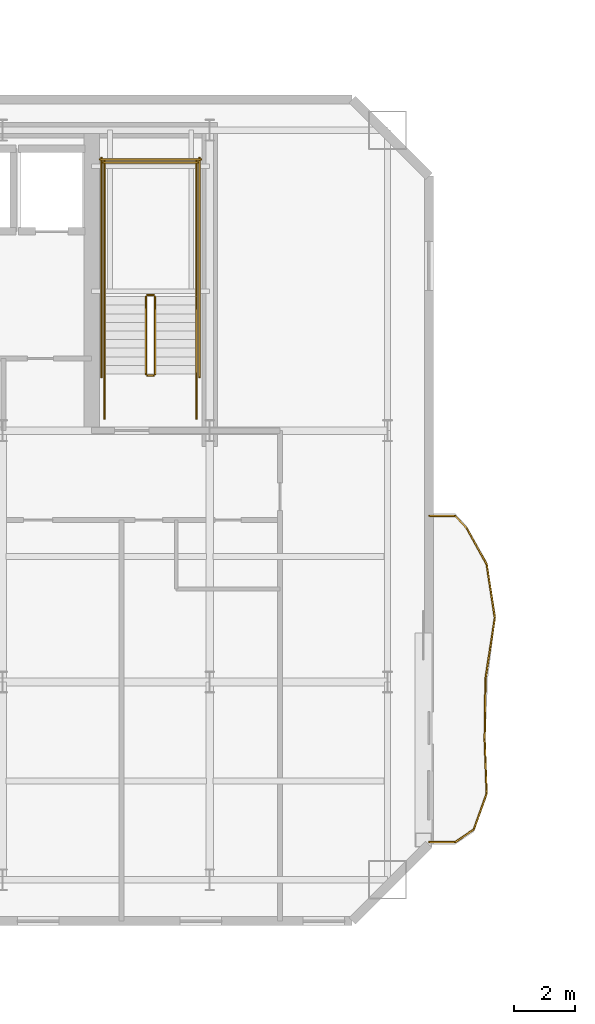
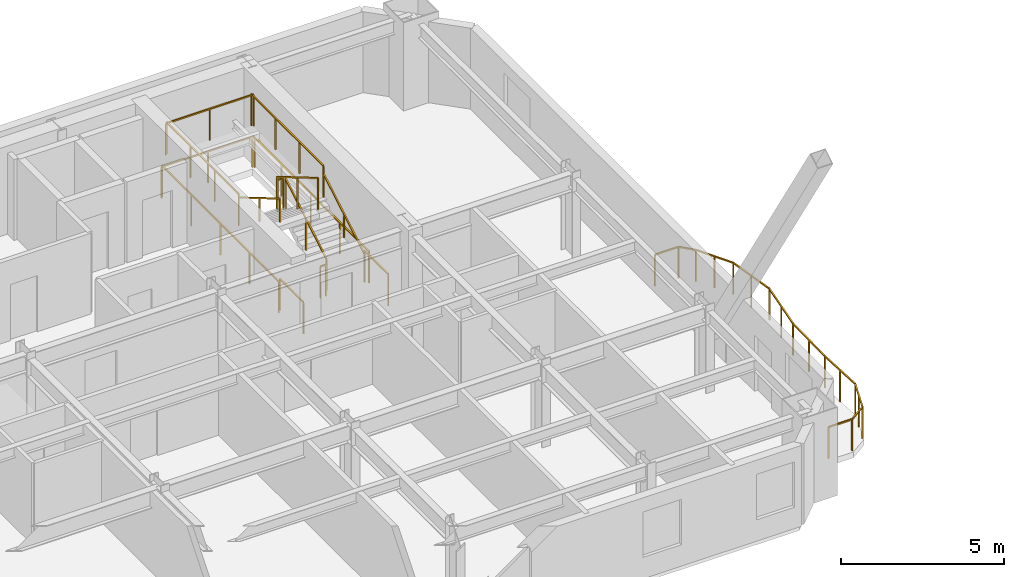
# One storey, part 11 of 13: 24 railings.
"""IFC4 building model written with IfcOpenShell, lengths in metres."""

from ifc_helpers import new_model, si_unit, direction, frame, origin, origin_2d, place, context, subcontext, project, spatial, rectangle, extrude, material, type_object, element, save


model = new_model("IFC4")

# Units and contexts
model_context = context("Model", 3, precision=1e-05, world=origin(), true_north=direction((0.0, 1.0)))
body_context = subcontext(model_context, "Body", "Model", "MODEL_VIEW")
ifc_project = project(units=[si_unit("LENGTHUNIT", "METRE"), si_unit("AREAUNIT", "SQUARE_METRE"), si_unit("VOLUMEUNIT", "CUBIC_METRE"), si_unit("PLANEANGLEUNIT", "RADIAN"), si_unit("MASSUNIT", "GRAM", prefix="KILO")], contexts=[model_context])

# Site, building, storey
site_placement = place(None, origin())
site = spatial("IfcSite", under=ifc_project, at=site_placement, CompositionType="ELEMENT")
building_placement = place(site_placement, origin())
building = spatial("IfcBuilding", under=site, at=building_placement, Name="Haevon Station Towers", CompositionType="ELEMENT")
storey_placement = place(building_placement, frame((0.0, 0.0, 185.699951171875)))
storey = spatial("IfcBuildingStorey", under=building, at=storey_placement, Name="L51", CompositionType="ELEMENT", Elevation=185.699951171875)

# Railings
ifc_material = material(Name="Steel S355", Category="steel")
railing_type_1 = type_object("IfcRailingType", Name="GRD-EXT1200", PredefinedType="GUARDRAIL", material=ifc_material)
railing_1_placement = place(storey_placement, frame((58.173583984375, 24.77783203125, 0.0)))
element("IfcRailing", 1, at=railing_1_placement, inside=storey, type_object=railing_type_1, Name="L51 Perimeter Guardrail 1", PredefinedType="GUARDRAIL", context=body_context, shape_type="SweptSolid", body=[
    extrude(rectangle(XDim=0.048095703125, YDim=0.048095703125, at=origin_2d()), frame((0.0, 0.0, 1.17578125), z_axis=(0.999997283225, 0.002330995998, 0.0), x_axis=(-0.002330995998, 0.999997283225, 0.0)), (0.0, 0.0, 1.0), 0.837890625),
    extrude(rectangle(XDim=0.0419921875, YDim=0.0419921875, at=origin_2d()), origin(), (0.0, 0.0, 1.0), 1.15185546875),
    extrude(rectangle(XDim=0.0419921875, YDim=0.0419921875, at=origin_2d()), frame((0.837890625, 0.001953125, 0.0)), (0.0, 0.0, 1.0), 1.15185546875),
])
railing_2_placement = place(storey_placement, frame((59.011474609375, 24.77978515625, 0.0)))
element("IfcRailing", 2, at=railing_2_placement, inside=storey, type_object=railing_type_1, Name="L51 Perimeter Guardrail 2", PredefinedType="GUARDRAIL", context=body_context, shape_type="SweptSolid", body=[
    extrude(rectangle(XDim=0.048095703125, YDim=0.048095703125, at=origin_2d()), frame((0.0, 0.0, 1.17578125), z_axis=(0.826665387993, 0.562693821091, 0.0), x_axis=(-0.562693821091, 0.826665387993, 0.0)), (0.0, 0.0, 1.0), 0.730712890625),
    extrude(rectangle(XDim=0.0419921875, YDim=0.0419921875, at=origin_2d()), origin(), (0.0, 0.0, 1.0), 1.15185546875),
    extrude(rectangle(XDim=0.0419921875, YDim=0.0419921875, at=origin_2d()), frame((0.60400390625, 0.4111328125, 0.0)), (0.0, 0.0, 1.0), 1.15185546875),
])
railing_3_placement = place(storey_placement, frame((59.615478515625, 25.19091796875, 0.0)))
element("IfcRailing", 3, at=railing_3_placement, inside=storey, type_object=railing_type_1, Name="L51 Perimeter Guardrail 3", PredefinedType="GUARDRAIL", context=body_context, shape_type="SweptSolid", body=[
    extrude(rectangle(XDim=0.048095703125, YDim=0.048095703125, at=origin_2d()), frame((0.0, 0.0, 1.17578125), z_axis=(0.337369310721, 0.941372374878, 0.0), x_axis=(-0.941372374878, 0.337369310721, 0.0)), (0.0, 0.0, 1.0), 1.242431640625),
    extrude(rectangle(XDim=0.0419921875, YDim=0.0419921875, at=origin_2d()), origin(), (0.0, 0.0, 1.0), 1.15185546875),
    extrude(rectangle(XDim=0.0419921875, YDim=0.0419921875, at=origin_2d()), frame((0.20947265625, 0.5849609375, 0.0)), (0.0, 0.0, 1.0), 1.15185546875),
    extrude(rectangle(XDim=0.0419921875, YDim=0.0419921875, at=origin_2d()), frame((0.419189453125, 1.169677734375, 0.0)), (0.0, 0.0, 1.0), 1.15185546875),
])
railing_4_placement = place(storey_placement, frame((60.03466796875, 26.360595703125, 0.0)))
element("IfcRailing", 4, at=railing_4_placement, inside=storey, type_object=railing_type_1, Name="L51 Perimeter Guardrail 4", PredefinedType="GUARDRAIL", context=body_context, shape_type="SweptSolid", body=[
    extrude(rectangle(XDim=0.048095703125, YDim=0.048095703125, at=origin_2d()), frame((0.0, 0.0, 1.17578125), z_axis=(-0.036800275781, 0.999322640443, 0.0), x_axis=(-0.999322640443, -0.036800275781, 0.0)), (0.0, 0.0, 1.0), 1.75146484375),
    extrude(rectangle(XDim=0.0419921875, YDim=0.0419921875, at=origin_2d()), origin(), (0.0, 0.0, 1.0), 1.15185546875),
    extrude(rectangle(XDim=0.0419921875, YDim=0.0419921875, at=origin_2d()), frame((-0.0322265625, 0.875, 0.0)), (0.0, 0.0, 1.0), 1.15185546875),
    extrude(rectangle(XDim=0.0419921875, YDim=0.0419921875, at=origin_2d()), frame((-0.064453125, 1.750244140625, 0.0)), (0.0, 0.0, 1.0), 1.15185546875),
])
railing_5_placement = place(storey_placement, frame((59.97021484375, 28.11083984375, 0.0)))
element("IfcRailing", 5, at=railing_5_placement, inside=storey, type_object=railing_type_1, Name="L51 Perimeter Guardrail 5", PredefinedType="GUARDRAIL", context=body_context, shape_type="SweptSolid", body=[
    extrude(rectangle(XDim=0.048095703125, YDim=0.048095703125, at=origin_2d()), frame((0.0, 0.0, 1.17578125), z_axis=(0.01276282884, 0.999918551783, 0.0), x_axis=(-0.999918551783, 0.01276282884, 0.0)), (0.0, 0.0, 1.0), 1.989501953125),
    extrude(rectangle(XDim=0.0419921875, YDim=0.0419921875, at=origin_2d()), origin(), (0.0, 0.0, 1.0), 1.15185546875),
    extrude(rectangle(XDim=0.0419921875, YDim=0.0419921875, at=origin_2d()), frame((0.0126953125, 0.99462890625, 0.0)), (0.0, 0.0, 1.0), 1.15185546875),
    extrude(rectangle(XDim=0.0419921875, YDim=0.0419921875, at=origin_2d()), frame((0.025390625, 1.9892578125, 0.0)), (0.0, 0.0, 1.0), 1.15185546875),
])
railing_6_placement = place(storey_placement, frame((59.99560546875, 30.10009765625, 0.0)))
element("IfcRailing", 6, at=railing_6_placement, inside=storey, type_object=railing_type_1, Name="L51 Perimeter Guardrail 6", PredefinedType="GUARDRAIL", context=body_context, shape_type="SweptSolid", body=[
    extrude(rectangle(XDim=0.048095703125, YDim=0.048095703125, at=origin_2d()), frame((0.0, 0.0, 1.17578125), z_axis=(0.151957098887, 0.988387090212, 0.0), x_axis=(-0.988387090212, 0.151957098887, 0.0)), (0.0, 0.0, 1.0), 2.016357421875),
    extrude(rectangle(XDim=0.0419921875, YDim=0.0419921875, at=origin_2d()), origin(), (0.0, 0.0, 1.0), 1.15185546875),
    extrude(rectangle(XDim=0.0419921875, YDim=0.0419921875, at=origin_2d()), frame((0.1533203125, 0.99658203125, 0.0)), (0.0, 0.0, 1.0), 1.15185546875),
    extrude(rectangle(XDim=0.0419921875, YDim=0.0419921875, at=origin_2d()), frame((0.306396484375, 1.992919921875, 0.0)), (0.0, 0.0, 1.0), 1.15185546875),
])
railing_7_placement = place(storey_placement, frame((60.302001953125, 32.093017578125, 0.0)))
element("IfcRailing", 7, at=railing_7_placement, inside=storey, type_object=railing_type_1, Name="L51 Perimeter Guardrail 7", PredefinedType="GUARDRAIL", context=body_context, shape_type="SweptSolid", body=[
    extrude(rectangle(XDim=0.048095703125, YDim=0.048095703125, at=origin_2d()), frame((0.0, 0.0, 1.17578125), z_axis=(-0.151319853564, 0.988484851638, 0.0), x_axis=(-0.988484851638, -0.151319853564, 0.0)), (0.0, 0.0, 1.0), 1.7666015625),
    extrude(rectangle(XDim=0.0419921875, YDim=0.0419921875, at=origin_2d()), origin(), (0.0, 0.0, 1.0), 1.15185546875),
    extrude(rectangle(XDim=0.0419921875, YDim=0.0419921875, at=origin_2d()), frame((-0.1337890625, 0.873046875, 0.0)), (0.0, 0.0, 1.0), 1.15185546875),
    extrude(rectangle(XDim=0.0419921875, YDim=0.0419921875, at=origin_2d()), frame((-0.267333984375, 1.746337890625, 0.0)), (0.0, 0.0, 1.0), 1.15185546875),
])
railing_8_placement = place(storey_placement, frame((60.03466796875, 33.83935546875, 0.0)))
element("IfcRailing", 8, at=railing_8_placement, inside=storey, type_object=railing_type_1, Name="L51 Perimeter Guardrail 8", PredefinedType="GUARDRAIL", context=body_context, shape_type="SweptSolid", body=[
    extrude(rectangle(XDim=0.048095703125, YDim=0.048095703125, at=origin_2d()), frame((0.0, 0.0, 1.17578125), z_axis=(-0.483454046519, 0.875369741826, 0.0), x_axis=(-0.875369741826, -0.483454046519, 0.0)), (0.0, 0.0, 1.0), 1.336181640625),
    extrude(rectangle(XDim=0.0419921875, YDim=0.0419921875, at=origin_2d()), origin(), (0.0, 0.0, 1.0), 1.15185546875),
    extrude(rectangle(XDim=0.0419921875, YDim=0.0419921875, at=origin_2d()), frame((-0.322998046875, 0.5849609375, 0.0)), (0.0, 0.0, 1.0), 1.15185546875),
    extrude(rectangle(XDim=0.0419921875, YDim=0.0419921875, at=origin_2d()), frame((-0.64599609375, 1.169677734375, 0.0)), (0.0, 0.0, 1.0), 1.15185546875),
])
railing_9_placement = place(storey_placement, frame((59.388671875, 35.009033203125, 0.0)))
element("IfcRailing", 9, at=railing_9_placement, inside=storey, type_object=railing_type_1, Name="L51 Perimeter Guardrail 9", PredefinedType="GUARDRAIL", context=body_context, shape_type="SweptSolid", body=[
    extrude(rectangle(XDim=0.048095703125, YDim=0.048095703125, at=origin_2d()), frame((0.0, 0.0, 1.17578125), z_axis=(-0.676041595973, 0.736863461242, 0.0), x_axis=(-0.736863461242, -0.676041595973, 0.0)), (0.0, 0.0, 1.0), 0.557861328125),
    extrude(rectangle(XDim=0.0419921875, YDim=0.0419921875, at=origin_2d()), origin(), (0.0, 0.0, 1.0), 1.15185546875),
    extrude(rectangle(XDim=0.0419921875, YDim=0.0419921875, at=origin_2d()), frame((-0.377197265625, 0.4111328125, 0.0)), (0.0, 0.0, 1.0), 1.15185546875),
])
railing_10_placement = place(storey_placement, frame((59.011474609375, 35.420166015625, 0.0)))
element("IfcRailing", 10, at=railing_10_placement, inside=storey, type_object=railing_type_1, Name="L51 Perimeter Guardrail 10", PredefinedType="GUARDRAIL", context=body_context, shape_type="SweptSolid", body=[
    extrude(rectangle(XDim=0.048095703125, YDim=0.048095703125, at=origin_2d()), frame((0.0, 0.0, 1.17578125), z_axis=(-0.999997283225, 0.002330995998, 0.0), x_axis=(-0.002330995998, -0.999997283225, 0.0)), (0.0, 0.0, 1.0), 0.837890625),
    extrude(rectangle(XDim=0.0419921875, YDim=0.0419921875, at=origin_2d()), origin(), (0.0, 0.0, 1.0), 1.15185546875),
    extrude(rectangle(XDim=0.0419921875, YDim=0.0419921875, at=origin_2d()), frame((-0.837890625, 0.001953125, 0.0)), (0.0, 0.0, 1.0), 1.15185546875),
])
railing_type_2 = type_object("IfcRailingType", Name="GRD-STR1200", PredefinedType="GUARDRAIL", material=ifc_material)
railing_11_placement = place(storey_placement, frame((49.219970703125, 40.050048828125, 0.1650390625)))
element("IfcRailing", 11, at=railing_11_placement, inside=storey, type_object=railing_type_2, Name="L51 ST2 Stair Guard 1", PredefinedType="GUARDRAIL", context=body_context, shape_type="SweptSolid", body=[
    extrude(rectangle(XDim=0.048095703125, YDim=0.048095703125, at=origin_2d()), frame((0.0, 0.0, 1.17578125), z_axis=(0.0, 0.86152411907, 0.507716645641), x_axis=(-1.0, 0.0, 0.0)), (0.0, 0.0, 1.0), 2.925048828125),
    extrude(rectangle(XDim=0.0419921875, YDim=0.0419921875, at=origin_2d()), origin(), (0.0, 0.0, 1.0), 1.15185546875),
    extrude(rectangle(XDim=0.0419921875, YDim=0.0419921875, at=origin_2d()), frame((0.0, 1.260009765625, 0.74267578125)), (0.0, 0.0, 1.0), 1.15185546875),
    extrude(rectangle(XDim=0.0419921875, YDim=0.0419921875, at=origin_2d()), frame((0.0, 2.52001953125, 1.485107421875)), (0.0, 0.0, 1.0), 1.15185546875),
])
railing_12_placement = place(storey_placement, frame((49.169921875, 42.6201171875, 1.650146484375)))
element("IfcRailing", 12, at=railing_12_placement, inside=storey, type_object=railing_type_2, Name="L51 ST2 Stair Guard 2", PredefinedType="GUARDRAIL", context=body_context, shape_type="SweptSolid", body=[
    extrude(rectangle(XDim=0.048095703125, YDim=0.048095703125, at=origin_2d()), frame((0.0, 0.0, 1.17578125), z_axis=(-1.0, 0.0, 0.0), x_axis=(0.0, -1.0, 0.0)), (0.0, 0.0, 1.0), 0.199951171875),
    extrude(rectangle(XDim=0.0419921875, YDim=0.0419921875, at=origin_2d()), origin(), (0.0, 0.0, 1.0), 1.15185546875),
    extrude(rectangle(XDim=0.0419921875, YDim=0.0419921875, at=origin_2d()), frame((-0.199951171875, 0.0, 0.0)), (0.0, 0.0, 1.0), 1.15185546875),
])
for number, where, name in (
    (13, (50.570068359375, 42.570068359375, 1.650146484375), "L51 ST2 Stair Guard 3"),
    (14, (47.570068359375, 42.570068359375, 1.650146484375), "L51 ST2 Stair Guard 4"),
):
    element("IfcRailing", number, at=place(storey_placement, frame(where)), inside=storey, type_object=railing_type_2, Name=name, PredefinedType="GUARDRAIL", context=body_context, shape_type="SweptSolid", body=[
        extrude(rectangle(XDim=0.048095703125, YDim=0.048095703125, at=origin_2d()), frame((0.0, 0.0, 1.17578125), z_axis=(0.0, 1.0, 0.0), x_axis=(-1.0, 0.0, 0.0)), (0.0, 0.0, 1.0), 4.429931640625),
        extrude(rectangle(XDim=0.0419921875, YDim=0.0419921875, at=origin_2d()), origin(), (0.0, 0.0, 1.0), 1.15185546875),
        extrude(rectangle(XDim=0.0419921875, YDim=0.0419921875, at=origin_2d()), frame((0.0, 1.4765625, 0.0)), (0.0, 0.0, 1.0), 1.15185546875),
        extrude(rectangle(XDim=0.0419921875, YDim=0.0419921875, at=origin_2d()), frame((0.0, 2.953369140625, 0.0)), (0.0, 0.0, 1.0), 1.15185546875),
        extrude(rectangle(XDim=0.0419921875, YDim=0.0419921875, at=origin_2d()), frame((0.0, 4.429931640625, 0.0)), (0.0, 0.0, 1.0), 1.15185546875),
    ])
railing_13_placement = place(storey_placement, frame((50.6201171875, 46.949951171875, 1.650146484375)))
element("IfcRailing", 15, at=railing_13_placement, inside=storey, type_object=railing_type_2, Name="L51 ST2 Stair Guard 5", PredefinedType="GUARDRAIL", context=body_context, shape_type="SweptSolid", body=[
    extrude(rectangle(XDim=0.048095703125, YDim=0.048095703125, at=origin_2d()), frame((0.0, 0.0, 1.17578125), z_axis=(-1.0, 0.0, 0.0), x_axis=(0.0, -1.0, 0.0)), (0.0, 0.0, 1.0), 3.10009765625),
    extrude(rectangle(XDim=0.0419921875, YDim=0.0419921875, at=origin_2d()), origin(), (0.0, 0.0, 1.0), 1.15185546875),
    extrude(rectangle(XDim=0.0419921875, YDim=0.0419921875, at=origin_2d()), frame((-1.550048828125, 0.0, 0.0)), (0.0, 0.0, 1.0), 1.15185546875),
    extrude(rectangle(XDim=0.0419921875, YDim=0.0419921875, at=origin_2d()), frame((-3.10009765625, 0.0, 0.0)), (0.0, 0.0, 1.0), 1.15185546875),
])
railing_14_placement = place(storey_placement, frame((48.919921875, 42.570068359375, 1.81494140625)))
element("IfcRailing", 16, at=railing_14_placement, inside=storey, type_object=railing_type_2, Name="L51 ST2 Stair Guard 6", PredefinedType="GUARDRAIL", context=body_context, shape_type="SweptSolid", body=[
    extrude(rectangle(XDim=0.048095703125, YDim=0.048095703125, at=origin_2d()), frame((0.0, 0.0, 1.17578125), z_axis=(0.0, -0.86152411907, 0.507716645641), x_axis=(1.0, 0.0, 0.0)), (0.0, 0.0, 1.0), 2.925048828125),
    extrude(rectangle(XDim=0.0419921875, YDim=0.0419921875, at=origin_2d()), origin(), (0.0, 0.0, 1.0), 1.15185546875),
    extrude(rectangle(XDim=0.0419921875, YDim=0.0419921875, at=origin_2d()), frame((0.0, -1.260009765625, 0.74267578125)), (0.0, 0.0, 1.0), 1.15185546875),
    extrude(rectangle(XDim=0.0419921875, YDim=0.0419921875, at=origin_2d()), frame((0.0, -2.52001953125, 1.485107421875)), (0.0, 0.0, 1.0), 1.15185546875),
])
railing_15_placement = place(storey_placement, frame((49.169921875, 40.0, 0.0)))
element("IfcRailing", 17, at=railing_15_placement, inside=storey, type_object=railing_type_2, Name="L51 ST2 Stair Guard 7", PredefinedType="GUARDRAIL", context=body_context, shape_type="SweptSolid", body=[
    extrude(rectangle(XDim=0.048095703125, YDim=0.048095703125, at=origin_2d()), frame((0.0, 0.0, 1.17578125), z_axis=(-1.0, 0.0, 0.0), x_axis=(0.0, -1.0, 0.0)), (0.0, 0.0, 1.0), 0.199951171875),
    extrude(rectangle(XDim=0.0419921875, YDim=0.0419921875, at=origin_2d()), origin(), (0.0, 0.0, 1.0), 1.15185546875),
    extrude(rectangle(XDim=0.0419921875, YDim=0.0419921875, at=origin_2d()), frame((-0.199951171875, 0.0, 0.0)), (0.0, 0.0, 1.0), 1.15185546875),
])
for number, where, name in (
    (18, (50.570068359375, 38.60009765625, 0.0), "L51 ST2 Stair Guard 8"),
    (19, (47.570068359375, 38.60009765625, 0.0), "L51 ST2 Stair Guard 9"),
):
    element("IfcRailing", number, at=place(storey_placement, frame(where)), inside=storey, type_object=railing_type_2, Name=name, PredefinedType="GUARDRAIL", context=body_context, shape_type="SweptSolid", body=[
        extrude(rectangle(XDim=0.048095703125, YDim=0.048095703125, at=origin_2d()), frame((0.0, 0.0, 1.17578125), z_axis=(0.0, 1.0, 0.0), x_axis=(-1.0, 0.0, 0.0)), (0.0, 0.0, 1.0), 1.449951171875),
        extrude(rectangle(XDim=0.0419921875, YDim=0.0419921875, at=origin_2d()), origin(), (0.0, 0.0, 1.0), 1.15185546875),
        extrude(rectangle(XDim=0.0419921875, YDim=0.0419921875, at=origin_2d()), frame((0.0, 1.449951171875, 0.0)), (0.0, 0.0, 1.0), 1.15185546875),
    ])
for number, where, name in (
    (20, (50.669921875, 39.949951171875, 0.0), "L51 ST2 Stair Guard 10"),
    (21, (47.469970703125, 39.949951171875, 0.0), "L51 ST2 Stair Guard 11"),
):
    element("IfcRailing", number, at=place(storey_placement, frame(where)), inside=storey, type_object=railing_type_2, Name=name, PredefinedType="GUARDRAIL", context=body_context, shape_type="SweptSolid", body=[
        extrude(rectangle(XDim=0.048095703125, YDim=0.048095703125, at=origin_2d()), frame((0.0, 0.0, 1.17578125), z_axis=(0.0, 1.0, 0.0), x_axis=(-1.0, 0.0, 0.0)), (0.0, 0.0, 1.0), 7.150146484375),
        extrude(rectangle(XDim=0.0419921875, YDim=0.0419921875, at=origin_2d()), origin(), (0.0, 0.0, 1.0), 1.15185546875),
        extrude(rectangle(XDim=0.0419921875, YDim=0.0419921875, at=origin_2d()), frame((0.0, 1.78759765625, 0.0)), (0.0, 0.0, 1.0), 1.15185546875),
        extrude(rectangle(XDim=0.0419921875, YDim=0.0419921875, at=origin_2d()), frame((0.0, 3.5751953125, 0.0)), (0.0, 0.0, 1.0), 1.15185546875),
        extrude(rectangle(XDim=0.0419921875, YDim=0.0419921875, at=origin_2d()), frame((0.0, 5.362548828125, 0.0)), (0.0, 0.0, 1.0), 1.15185546875),
        extrude(rectangle(XDim=0.0419921875, YDim=0.0419921875, at=origin_2d()), frame((0.0, 7.150146484375, 0.0)), (0.0, 0.0, 1.0), 1.15185546875),
    ])
railing_16_placement = place(storey_placement, frame((50.719970703125, 47.050048828125, 0.0)))
element("IfcRailing", 22, at=railing_16_placement, inside=storey, type_object=railing_type_2, Name="L51 ST2 Stair Guard 12", PredefinedType="GUARDRAIL", context=body_context, shape_type="SweptSolid", body=[
    extrude(rectangle(XDim=0.048095703125, YDim=0.048095703125, at=origin_2d()), frame((0.0, 0.0, 1.17578125), z_axis=(-1.0, 0.0, 0.0), x_axis=(0.0, -1.0, 0.0)), (0.0, 0.0, 1.0), 3.300048828125),
    extrude(rectangle(XDim=0.0419921875, YDim=0.0419921875, at=origin_2d()), origin(), (0.0, 0.0, 1.0), 1.15185546875),
    extrude(rectangle(XDim=0.0419921875, YDim=0.0419921875, at=origin_2d()), frame((-1.64990234375, 0.0, 0.0)), (0.0, 0.0, 1.0), 1.15185546875),
    extrude(rectangle(XDim=0.0419921875, YDim=0.0419921875, at=origin_2d()), frame((-3.300048828125, 0.0, 0.0)), (0.0, 0.0, 1.0), 1.15185546875),
])
railing_type_3 = type_object("IfcRailingType", Name="HND-STR900", PredefinedType="HANDRAIL", material=ifc_material)
railing_17_placement = place(storey_placement, frame((50.570068359375, 40.050048828125, 0.1650390625)))
element("IfcRailing", 23, at=railing_17_placement, inside=storey, type_object=railing_type_3, Name="L51 ST2 Stair Handrail 1", PredefinedType="HANDRAIL", context=body_context, shape_type="SweptSolid", body=[
    extrude(rectangle(XDim=0.048095703125, YDim=0.048095703125, at=origin_2d()), frame((0.0, 0.0, 0.8759765625), z_axis=(0.0, 0.86152411907, 0.507716645641), x_axis=(-1.0, 0.0, 0.0)), (0.0, 0.0, 1.0), 2.925048828125),
    extrude(rectangle(XDim=0.0419921875, YDim=0.0419921875, at=origin_2d()), origin(), (0.0, 0.0, 1.0), 0.851806640625),
    extrude(rectangle(XDim=0.0419921875, YDim=0.0419921875, at=origin_2d()), frame((0.0, 1.260009765625, 0.74267578125)), (0.0, 0.0, 1.0), 0.851806640625),
    extrude(rectangle(XDim=0.0419921875, YDim=0.0419921875, at=origin_2d()), frame((0.0, 2.52001953125, 1.485107421875)), (0.0, 0.0, 1.0), 0.851806640625),
])
railing_18_placement = place(storey_placement, frame((47.570068359375, 42.570068359375, 1.81494140625)))
element("IfcRailing", 24, at=railing_18_placement, inside=storey, type_object=railing_type_3, Name="L51 ST2 Stair Handrail 2", PredefinedType="HANDRAIL", context=body_context, shape_type="SweptSolid", body=[
    extrude(rectangle(XDim=0.048095703125, YDim=0.048095703125, at=origin_2d()), frame((0.0, 0.0, 0.8759765625), z_axis=(0.0, -0.86152411907, 0.507716645641), x_axis=(1.0, 0.0, 0.0)), (0.0, 0.0, 1.0), 2.925048828125),
    extrude(rectangle(XDim=0.0419921875, YDim=0.0419921875, at=origin_2d()), origin(), (0.0, 0.0, 1.0), 0.851806640625),
    extrude(rectangle(XDim=0.0419921875, YDim=0.0419921875, at=origin_2d()), frame((0.0, -1.260009765625, 0.74267578125)), (0.0, 0.0, 1.0), 0.851806640625),
    extrude(rectangle(XDim=0.0419921875, YDim=0.0419921875, at=origin_2d()), frame((0.0, -2.52001953125, 1.485107421875)), (0.0, 0.0, 1.0), 0.851806640625),
])

save(model, "model.ifc")
